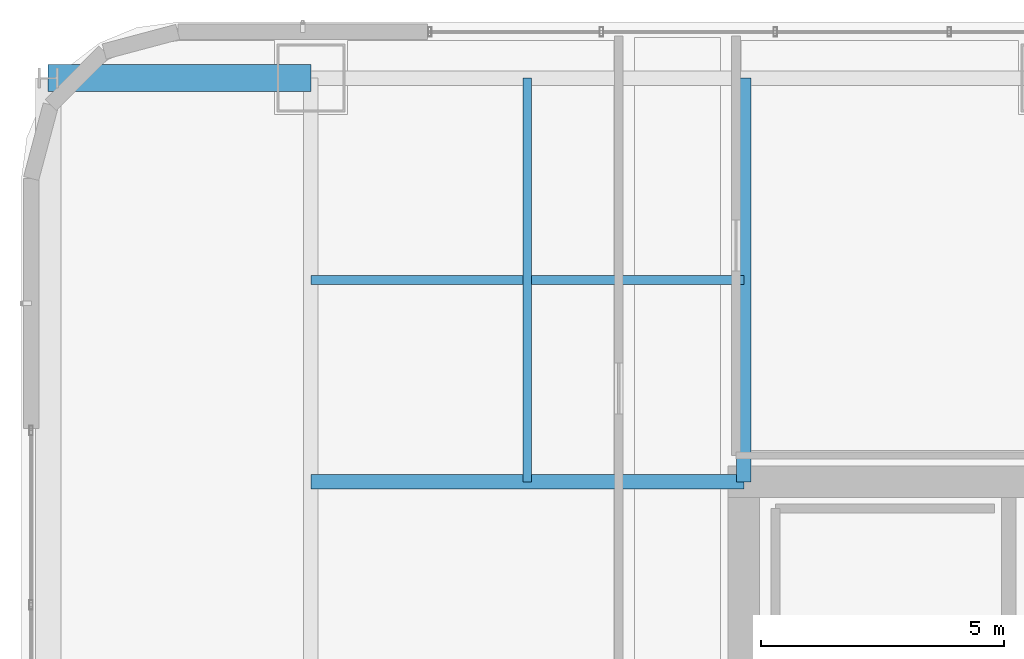
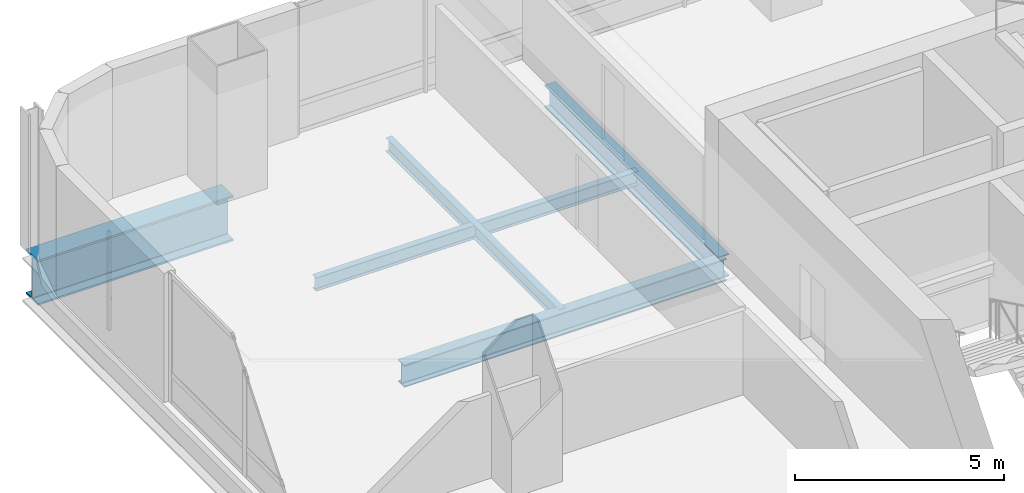
# One storey, part 21 of 46: 5 beams.
"""IFC4 building model written with IfcOpenShell, lengths in metres."""

from ifc_helpers import new_model, si_unit, direction, frame, origin, origin_2d, place, context, subcontext, project, spatial, i_section, extrude, material, material_profile, profile_set, type_object, element, save


model = new_model("IFC4")

# Units and contexts
model_context = context("Model", 3, precision=1e-05, world=origin(), true_north=direction((0.0, 1.0)))
body_context = subcontext(model_context, "Body", "Model", "MODEL_VIEW")
ifc_project = project(units=[si_unit("LENGTHUNIT", "METRE"), si_unit("AREAUNIT", "SQUARE_METRE"), si_unit("VOLUMEUNIT", "CUBIC_METRE"), si_unit("PLANEANGLEUNIT", "RADIAN"), si_unit("MASSUNIT", "GRAM", prefix="KILO")], contexts=[model_context])

# Site, building, storey
site_placement = place(None, origin())
site = spatial("IfcSite", under=ifc_project, at=site_placement, CompositionType="ELEMENT")
building_placement = place(site_placement, origin())
building = spatial("IfcBuilding", under=site, at=building_placement, Name="Punatoya Terracotta Tower", CompositionType="ELEMENT")
storey_placement = place(building_placement, frame((0.0, 0.0, 200.550048828125)))
storey = spatial("IfcBuildingStorey", under=building, at=storey_placement, Name="L47", CompositionType="ELEMENT", Elevation=200.550048828125)

# Beams
ifc_material_1 = material(Name="Steel S355", Category="steel")
ifc_material_profile_1 = material_profile(ifc_material_1, i_section(OverallWidth=0.300048828125, OverallDepth=0.64990234375, WebThickness=0.01611328125, FlangeThickness=0.031005859375, FilletRadius=0.01806640625, at=origin_2d()))
ifc_profile_set_1 = profile_set([ifc_material_profile_1], Name="Steel S355")
beam_type_1 = type_object("IfcBeamType", Name="BM-PRI-650", PredefinedType="BEAM", material=ifc_profile_set_1)
beam_1_placement = place(storey_placement, frame((-19.10009765625, 9.199951171875, -0.545166015625), z_axis=(1.0, 0.0, 0.0), x_axis=(0.0, 1.0, 0.0)))
element("IfcBeam", 1, at=beam_1_placement, inside=storey, type_object=beam_type_1, Name="BM-L47-PR-WN", PredefinedType="BEAM", context=body_context, shape_type="SweptSolid", body=[
    extrude(i_section(OverallWidth=0.300048828125, OverallDepth=0.64990234375, WebThickness=0.01611328125, FlangeThickness=0.031005859375, FilletRadius=0.01806640625, at=origin_2d()), origin(), (0.0, 0.0, 1.0), 8.900146484375),
])
beam_2_placement = place(storey_placement, frame((-10.199951171875, 9.199951171875, -0.545166015625), z_axis=(0.0, 1.0, 0.0), x_axis=(-1.0, 0.0, 0.0)))
element("IfcBeam", 2, at=beam_2_placement, inside=storey, type_object=beam_type_1, Name="BM-L47-PR-N1", PredefinedType="BEAM", context=body_context, shape_type="SweptSolid", body=[
    extrude(i_section(OverallWidth=0.300048828125, OverallDepth=0.64990234375, WebThickness=0.01611328125, FlangeThickness=0.031005859375, FilletRadius=0.01806640625, at=origin_2d()), origin(), (0.0, 0.0, 1.0), 8.300048828125),
])
ifc_material_profile_2 = material_profile(ifc_material_1, i_section(OverallWidth=0.179931640625, OverallDepth=0.39990234375, WebThickness=0.008544921875, FlangeThickness=0.013427734375, FilletRadius=0.01806640625, at=origin_2d()))
ifc_profile_set_2 = profile_set([ifc_material_profile_2], Name="Steel S355")
beam_type_2 = type_object("IfcBeamType", Name="BM-SEC-400", PredefinedType="JOIST", material=ifc_profile_set_2)
beam_3_placement = place(storey_placement, frame((-19.10009765625, 13.35009765625, -0.420166015625), z_axis=(1.0, 0.0, 0.0), x_axis=(0.0, 1.0, 0.0)))
element("IfcBeam", 3, at=beam_3_placement, inside=storey, type_object=beam_type_2, Name="BM-L47-SJN-1", PredefinedType="JOIST", context=body_context, shape_type="SweptSolid", body=[
    extrude(i_section(OverallWidth=0.179931640625, OverallDepth=0.39990234375, WebThickness=0.008544921875, FlangeThickness=0.013427734375, FilletRadius=0.01806640625, at=origin_2d()), origin(), (0.0, 0.0, 1.0), 8.900146484375),
])
beam_4_placement = place(storey_placement, frame((-14.64990234375, 9.199951171875, -0.420166015625), z_axis=(0.0, 1.0, 0.0), x_axis=(-1.0, 0.0, 0.0)))
element("IfcBeam", 4, at=beam_4_placement, inside=storey, type_object=beam_type_2, Name="BM-L47-SJW-2", PredefinedType="JOIST", context=body_context, shape_type="SweptSolid", body=[
    extrude(i_section(OverallWidth=0.179931640625, OverallDepth=0.39990234375, WebThickness=0.008544921875, FlangeThickness=0.013427734375, FilletRadius=0.01806640625, at=origin_2d()), origin(), (0.0, 0.0, 1.0), 8.300048828125),
])
ifc_material_2 = material(Name="Steel S460", Category="steel")
ifc_material_profile_3 = material_profile(ifc_material_2, i_section(OverallWidth=0.56005859375, OverallDepth=1.320068359375, WebThickness=0.035888671875, FlangeThickness=0.054931640625, FilletRadius=0.01806640625, at=origin_2d()))
ifc_profile_set_3 = profile_set([ifc_material_profile_3], Name="Steel S460")
beam_type_3 = type_object("IfcBeamType", Name="BM-TG-BLK", PredefinedType="BEAM", material=ifc_profile_set_3)
beam_5_placement = place(storey_placement, frame((-24.5, 17.5, -0.880126953125), z_axis=(1.0, 0.0, 0.0), x_axis=(0.0, 1.0, 0.0)))
element("IfcBeam", 5, at=beam_5_placement, inside=storey, type_object=beam_type_3, Name="BM-L47-CANT-W4", PredefinedType="BEAM", context=body_context, shape_type="SweptSolid", body=[
    extrude(i_section(OverallWidth=0.56005859375, OverallDepth=1.320068359375, WebThickness=0.035888671875, FlangeThickness=0.054931640625, FilletRadius=0.01806640625, at=origin_2d()), origin(), (0.0, 0.0, 1.0), 5.39990234375),
])

save(model, "model.ifc")
